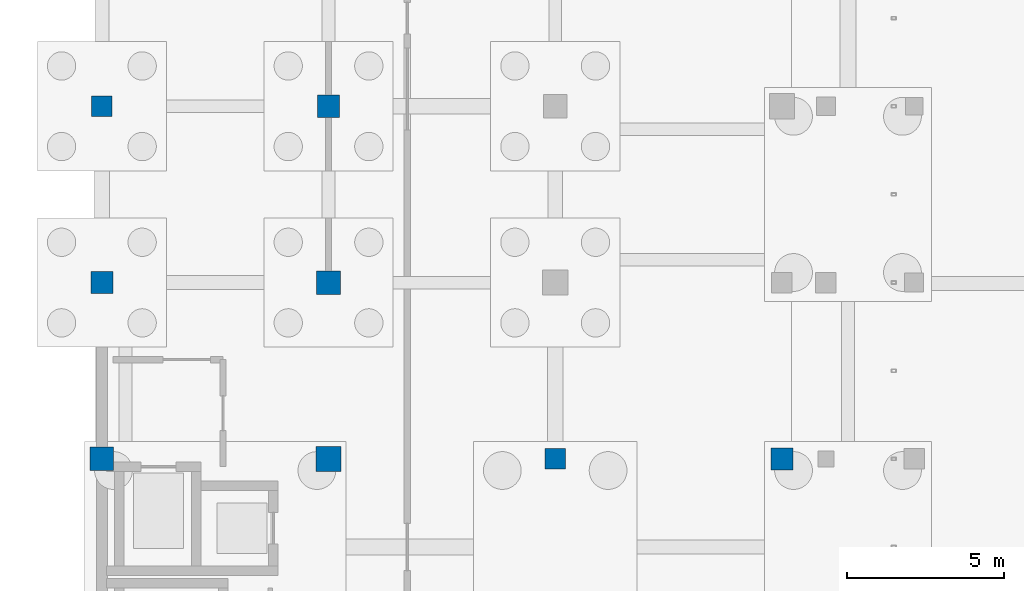
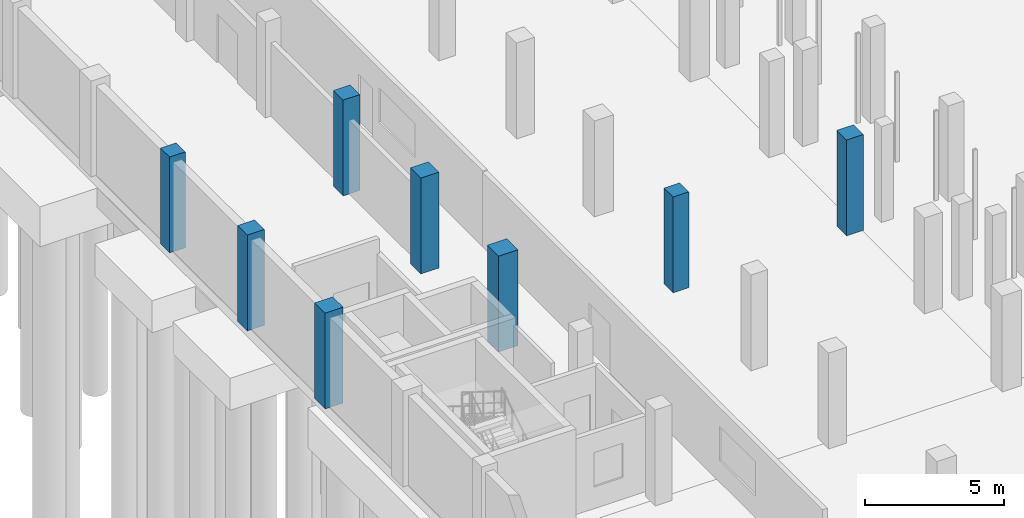
# One storey, part 12 of 34: 8 columns.
"""IFC4 building model written with IfcOpenShell, lengths in metres."""

from ifc_helpers import new_model, si_unit, direction, frame, origin, origin_2d, place, context, subcontext, project, spatial, rectangle, extrude, material, material_profile, profile_set, type_object, element, save


model = new_model("IFC4")

# Units and contexts
model_context = context("Model", 3, precision=1e-05, world=origin(), true_north=direction((0.0, 1.0)))
body_context = subcontext(model_context, "Body", "Model", "MODEL_VIEW")
ifc_project = project(units=[si_unit("LENGTHUNIT", "METRE"), si_unit("AREAUNIT", "SQUARE_METRE"), si_unit("VOLUMEUNIT", "CUBIC_METRE"), si_unit("PLANEANGLEUNIT", "RADIAN"), si_unit("MASSUNIT", "GRAM", prefix="KILO")], contexts=[model_context])

# Site, building, storey
site_placement = place(None, origin())
site = spatial("IfcSite", under=ifc_project, at=site_placement, CompositionType="ELEMENT")
building_placement = place(site_placement, origin())
building = spatial("IfcBuilding", under=site, at=building_placement, Name="Vinh Khe Railworks Police Headquarters", CompositionType="ELEMENT")
storey_placement = place(building_placement, frame((0.0, 0.0, -4.199951171875)))
storey = spatial("IfcBuildingStorey", under=building, at=storey_placement, Name="B1", CompositionType="ELEMENT", Elevation=-4.199951171875)

# Columns
ifc_material = material(Name="Concrete C40/50 (B40)", Category="concrete")
ifc_material_profile_1 = material_profile(ifc_material, rectangle(XDim=0.64990234375, YDim=0.64990234375, at=origin_2d()), Name="RC 650x650")
ifc_profile_set_1 = profile_set([ifc_material_profile_1], Name="Concrete C40/50 (B40)")
column_type_1 = type_object("IfcColumnType", Name="RC Column RC 650x650", PredefinedType="COLUMN", material=ifc_profile_set_1)
for number, where, z_axis, x_axis, name in (
    (1, (0.60009765625, 47.60009765625, 0.0), (0.0, 0.0, 1.0), (1.0, 0.0, 0.0), "Column COL-B1-CC-04-0057"),
    (2, (15.0, 36.39990234375, 0.0), (0.0, 0.0, 1.0), (1.0, 0.0, 0.0), "Column COL-B1-CC-04-0371"),
):
    element("IfcColumn", number, at=place(storey_placement, frame(where, z_axis=z_axis, x_axis=x_axis)), inside=storey, type_object=column_type_1, Name=name, PredefinedType="COLUMN", context=body_context, shape_type="SweptSolid", body=[
        extrude(rectangle(XDim=0.64990234375, YDim=0.64990234375, at=origin_2d()), origin(), (0.0, 0.0, 1.0), 4.199951171875),
    ])
ifc_material_profile_2 = material_profile(ifc_material, rectangle(XDim=0.699951171875, YDim=0.699951171875, at=origin_2d()), Name="RC 700x700")
ifc_profile_set_2 = profile_set([ifc_material_profile_2], Name="Concrete C40/50 (B40)")
column_type_2 = type_object("IfcColumnType", Name="RC Column RC 700x700", PredefinedType="COLUMN", material=ifc_profile_set_2)
for number, where, z_axis, x_axis, name in (
    (3, (0.60009765625, 42.0, 0.0), (0.0, 0.0, 1.0), (1.0, 0.0, 0.0), "Column COL-B1-CC-03-0047"),
    (4, (7.800048828125, 47.60009765625, 0.0), (0.0, 0.0, 1.0), (1.0, 0.0, 0.0), "Column COL-B1-CC-03-0224"),
    (5, (22.199951171875, 36.39990234375, 0.0), (0.0, 0.0, 1.0), (1.0, 0.0, 0.0), "Column COL-B1-CC-03-0535"),
):
    element("IfcColumn", number, at=place(storey_placement, frame(where, z_axis=z_axis, x_axis=x_axis)), inside=storey, type_object=column_type_2, Name=name, PredefinedType="COLUMN", context=body_context, shape_type="SweptSolid", body=[
        extrude(rectangle(XDim=0.699951171875, YDim=0.699951171875, at=origin_2d()), origin(), (0.0, 0.0, 1.0), 4.199951171875),
    ])
ifc_material_profile_3 = material_profile(ifc_material, rectangle(XDim=0.75, YDim=0.75, at=origin_2d()), Name="RC 750x750")
ifc_profile_set_3 = profile_set([ifc_material_profile_3], Name="Concrete C40/50 (B40)")
column_type_3 = type_object("IfcColumnType", Name="RC Column RC 750x750", PredefinedType="COLUMN", material=ifc_profile_set_3)
for number, where, z_axis, x_axis, name in (
    (6, (0.60009765625, 36.39990234375, 0.0), (0.0, 0.0, 1.0), (1.0, 0.0, 0.0), "Column COL-B1-CC-02-0037"),
    (7, (7.800048828125, 42.0, 0.0), (0.0, 0.0, 1.0), (1.0, 0.0, 0.0), "Column COL-B1-CC-02-0214"),
):
    element("IfcColumn", number, at=place(storey_placement, frame(where, z_axis=z_axis, x_axis=x_axis)), inside=storey, type_object=column_type_3, Name=name, PredefinedType="COLUMN", context=body_context, shape_type="SweptSolid", body=[
        extrude(rectangle(XDim=0.75, YDim=0.75, at=origin_2d()), origin(), (0.0, 0.0, 1.0), 4.199951171875),
    ])
ifc_material_profile_4 = material_profile(ifc_material, rectangle(XDim=0.800048828125, YDim=0.800048828125, at=origin_2d()), Name="RC 800x800")
ifc_profile_set_4 = profile_set([ifc_material_profile_4], Name="Concrete C40/50 (B40)")
column_type_4 = type_object("IfcColumnType", Name="RC Column RC 800x800", PredefinedType="COLUMN", material=ifc_profile_set_4)
column_placement = place(storey_placement, frame((7.800048828125, 36.39990234375, 0.0), z_axis=(0.0, 0.0, 1.0), x_axis=(1.0, 0.0, 0.0)))
element("IfcColumn", 8, at=column_placement, inside=storey, type_object=column_type_4, Name="Column COL-B1-CC-01-0204", PredefinedType="COLUMN", context=body_context, shape_type="SweptSolid", body=[
    extrude(rectangle(XDim=0.800048828125, YDim=0.800048828125, at=origin_2d()), origin(), (0.0, 0.0, 1.0), 4.199951171875),
])

save(model, "model.ifc")
